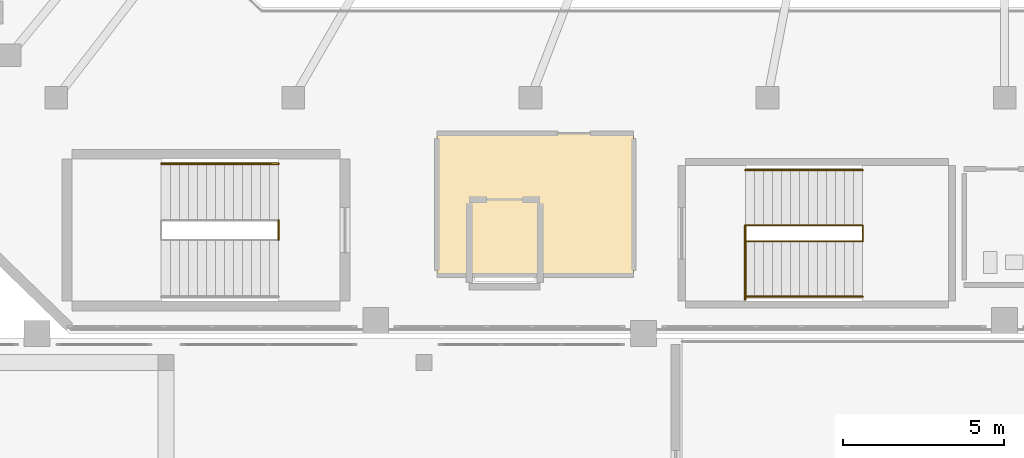
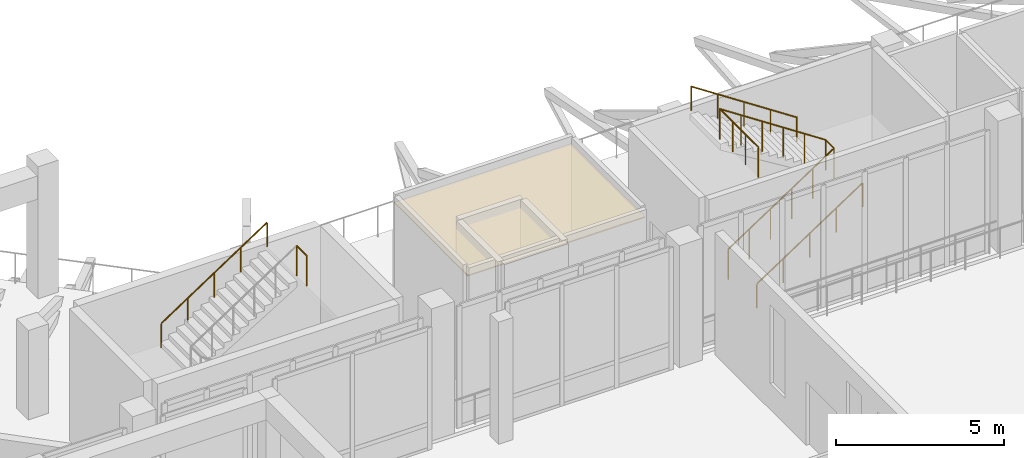
# One storey, part 71 of 79: 6 railings, 1 covering.
"""IFC4 building model written with IfcOpenShell, lengths in metres."""

from ifc_helpers import new_model, si_unit, derived_unit, direction, frame, origin, origin_2d, place, context, subcontext, project, spatial, polyline, circle, outline, extrude, material, layer, layer_set, type_object, element, save


model = new_model("IFC4")

# Units and contexts
model_context = context("Model", 3, precision=1e-05, world=origin(), true_north=direction((0.0, 1.0)))
body_context = subcontext(model_context, "Body", "Model", "MODEL_VIEW")
ifc_project = project(units=[si_unit("LENGTHUNIT", "METRE"), si_unit("AREAUNIT", "SQUARE_METRE"), si_unit("VOLUMEUNIT", "CUBIC_METRE"), si_unit("PLANEANGLEUNIT", "RADIAN"), si_unit("MASSUNIT", "GRAM", prefix="KILO"), derived_unit("THERMALTRANSMITTANCEUNIT", [(si_unit("MASSUNIT", "GRAM", prefix="KILO"), 1), (si_unit("TIMEUNIT", "SECOND"), -3), (si_unit("THERMODYNAMICTEMPERATUREUNIT", "KELVIN"), -1)])], contexts=[model_context])

# Site, building, storey
site_placement = place(None, origin())
site = spatial("IfcSite", under=ifc_project, at=site_placement, CompositionType="ELEMENT")
building_placement = place(site_placement, origin())
building = spatial("IfcBuilding", under=site, at=building_placement, Name="Valcora Ridge Arena", CompositionType="ELEMENT")
storey_placement = place(building_placement, frame((0.0, 0.0, 16.199951171875)))
storey = spatial("IfcBuildingStorey", under=building, at=storey_placement, Name="L03", CompositionType="ELEMENT", Elevation=16.199951171875)

# Covering
ifc_material_1 = material(Name="Perforated mineral-wool acoustic ceiling baffle tile")
ifc_layer = layer(ifc_material_1, 0.0400390625, Name="Perforated mineral-wool acoustic ceiling baffle tile")
ifc_layer_set = layer_set([ifc_layer], Name="Perforated mineral-wool acoustic ceiling baffle tile")
covering_type = type_object("IfcCoveringType", Name="TY-COVERING-CLG-ACOUSTIC-600", PredefinedType="CEILING", material=ifc_layer_set)
covering_placement = place(storey_placement, frame((0.0, 0.0, 4.090087890625)))
element("IfcCovering", 1, at=covering_placement, inside=storey, type_object=covering_type, Name="CLG-ACOUSTIC-600 COV-CL-0001", PredefinedType="CEILING", context=body_context, shape_type="SweptSolid", body=[
    extrude(outline(polyline([(40.39990234375, 21.800048828125), (46.5, 21.800048828125), (46.5, 26.199951171875), (40.39990234375, 26.199951171875), (40.39990234375, 21.800048828125)])), origin(), (0.0, 0.0, 1.0), 0.0400390625),
])

# Railings
ifc_material_2 = material(Name="Galvanized painted steel ASTM A500 Grade B", Category="steel")
railing_type_1 = type_object("IfcRailingType", Name="TY-RAILING-GRD-STAIR-1120", PredefinedType="GUARDRAIL", material=ifc_material_2)
railing_1_placement = place(storey_placement, frame((35.489990234375, 22.89990234375, 4.800048828125)))
element("IfcRailing", 2, at=railing_1_placement, inside=storey, type_object=railing_type_1, Name="GRD-STAIR-1120 RAL-SG-0010", PredefinedType="GUARDRAIL", context=body_context, shape_type="SweptSolid", body=[
    extrude(circle(Radius=0.02392578125, at=origin_2d()), frame((0.0, 0.0, 1.09619140625), z_axis=(0.0, 1.0, 0.0), x_axis=(-1.0, 0.0, 0.0)), (0.0, 0.0, 1.0), 0.60009765625),
    extrude(circle(Radius=0.02099609375, at=origin_2d()), origin(), (0.0, 0.0, 1.0), 1.072021484375),
    extrude(circle(Radius=0.02099609375, at=origin_2d()), frame((0.0, 0.60009765625, 0.0)), (0.0, 0.0, 1.0), 1.072021484375),
])
railing_2_placement = place(storey_placement, frame((49.9599609375, 22.85009765625, 0.0)))
element("IfcRailing", 3, at=railing_2_placement, inside=storey, type_object=railing_type_1, Name="GRD-STAIR-1120 RAL-SG-0103", PredefinedType="GUARDRAIL", context=body_context, shape_type="SweptSolid", body=[
    extrude(circle(Radius=0.02392578125, at=origin_2d()), frame((0.0, 0.0, 1.09619140625), z_axis=(0.834856447115, 0.0, 0.55046772177), x_axis=(0.0, 1.0, 0.0)), (0.0, 0.0, 1.0), 4.360107421875),
    extrude(circle(Radius=0.02392578125, at=origin_2d()), frame((3.64013671875, 0.0, 3.49609375), z_axis=(0.0, 1.0, 0.0), x_axis=(-1.0, 0.0, 0.0)), (0.0, 0.0, 1.0), 0.5),
    extrude(circle(Radius=0.02392578125, at=origin_2d()), frame((3.64013671875, 0.5, 3.49609375), z_axis=(-0.83488217925, 0.0, 0.55042869363), x_axis=(0.0, -1.0, 0.0)), (0.0, 0.0, 1.0), 4.360107421875),
    extrude(circle(Radius=0.02099609375, at=origin_2d()), origin(), (0.0, 0.0, 1.0), 1.072021484375),
    extrude(circle(Radius=0.02099609375, at=origin_2d()), frame((0.72802734375, 0.0, 0.47998046875)), (0.0, 0.0, 1.0), 1.072021484375),
    extrude(circle(Radius=0.02099609375, at=origin_2d()), frame((1.4560546875, 0.0, 0.9599609375)), (0.0, 0.0, 1.0), 1.072021484375),
    extrude(circle(Radius=0.02099609375, at=origin_2d()), frame((2.18408203125, 0.0, 1.440185546875)), (0.0, 0.0, 1.0), 1.072021484375),
    extrude(circle(Radius=0.02099609375, at=origin_2d()), frame((2.912109375, 0.0, 1.920166015625)), (0.0, 0.0, 1.0), 1.072021484375),
    extrude(circle(Radius=0.02099609375, at=origin_2d()), frame((3.64013671875, 0.0, 2.400146484375)), (0.0, 0.0, 1.0), 1.072021484375),
    extrude(circle(Radius=0.02099609375, at=origin_2d()), frame((3.64013671875, 0.5, 2.400146484375)), (0.0, 0.0, 1.0), 1.072021484375),
    extrude(circle(Radius=0.02099609375, at=origin_2d()), frame((2.912109375, 0.5, 2.880126953125)), (0.0, 0.0, 1.0), 1.072021484375),
    extrude(circle(Radius=0.02099609375, at=origin_2d()), frame((2.18408203125, 0.5, 3.360107421875)), (0.0, 0.0, 1.0), 1.072021484375),
    extrude(circle(Radius=0.02099609375, at=origin_2d()), frame((1.4560546875, 0.5, 3.840087890625)), (0.0, 0.0, 1.0), 1.072021484375),
    extrude(circle(Radius=0.02099609375, at=origin_2d()), frame((0.72802734375, 0.5, 4.320068359375)), (0.0, 0.0, 1.0), 1.072021484375),
    extrude(circle(Radius=0.02099609375, at=origin_2d()), frame((0.0, 0.5, 4.800048828125)), (0.0, 0.0, 1.0), 1.072021484375),
])
railing_3_placement = place(storey_placement, frame((49.9599609375, 21.050048828125, 4.800048828125)))
element("IfcRailing", 4, at=railing_3_placement, inside=storey, type_object=railing_type_1, Name="GRD-STAIR-1120 RAL-SG-0104", PredefinedType="GUARDRAIL", context=body_context, shape_type="SweptSolid", body=[
    extrude(circle(Radius=0.02392578125, at=origin_2d()), frame((0.0, 0.0, 1.09619140625), z_axis=(0.0, 1.0, 0.0), x_axis=(-1.0, 0.0, 0.0)), (0.0, 0.0, 1.0), 2.300048828125),
    extrude(circle(Radius=0.02099609375, at=origin_2d()), origin(), (0.0, 0.0, 1.0), 1.072021484375),
    extrude(circle(Radius=0.02099609375, at=origin_2d()), frame((0.0, 0.7666015625, 0.0)), (0.0, 0.0, 1.0), 1.072021484375),
    extrude(circle(Radius=0.02099609375, at=origin_2d()), frame((0.0, 1.533447265625, 0.0)), (0.0, 0.0, 1.0), 1.072021484375),
    extrude(circle(Radius=0.02099609375, at=origin_2d()), frame((0.0, 2.300048828125, 0.0)), (0.0, 0.0, 1.0), 1.072021484375),
])
railing_type_2 = type_object("IfcRailingType", Name="TY-RAILING-HR-STAIR-900", PredefinedType="HANDRAIL", material=ifc_material_2)
railing_4_placement = place(storey_placement, frame((31.85009765625, 25.260009765625, 2.400146484375)))
element("IfcRailing", 5, at=railing_4_placement, inside=storey, type_object=railing_type_2, Name="HR-STAIR-900 RAL-SH-0010", PredefinedType="HANDRAIL", context=body_context, shape_type="SweptSolid", body=[
    extrude(circle(Radius=0.02392578125, at=origin_2d()), frame((0.0, 0.0, 0.8759765625), z_axis=(0.834865213223, 0.0, 0.550454426587), x_axis=(0.0, 1.0, 0.0)), (0.0, 0.0, 1.0), 4.35986328125),
    extrude(circle(Radius=0.02099609375, at=origin_2d()), origin(), (0.0, 0.0, 1.0), 0.851806640625),
    extrude(circle(Radius=0.02099609375, at=origin_2d()), frame((0.909912109375, 0.0, 0.60009765625)), (0.0, 0.0, 1.0), 0.851806640625),
    extrude(circle(Radius=0.02099609375, at=origin_2d()), frame((1.81982421875, 0.0, 1.199951171875)), (0.0, 0.0, 1.0), 0.851806640625),
    extrude(circle(Radius=0.02099609375, at=origin_2d()), frame((2.72998046875, 0.0, 1.7998046875)), (0.0, 0.0, 1.0), 0.851806640625),
    extrude(circle(Radius=0.02099609375, at=origin_2d()), frame((3.639892578125, 0.0, 2.39990234375)), (0.0, 0.0, 1.0), 0.851806640625),
])
railing_5_placement = place(storey_placement, frame((49.9599609375, 21.139892578125, 0.0)))
element("IfcRailing", 6, at=railing_5_placement, inside=storey, type_object=railing_type_2, Name="HR-STAIR-900 RAL-SH-0103", PredefinedType="HANDRAIL", context=body_context, shape_type="SweptSolid", body=[
    extrude(circle(Radius=0.02392578125, at=origin_2d()), frame((0.0, 0.0, 0.8759765625), z_axis=(0.834856447115, 0.0, 0.55046772177), x_axis=(0.0, 1.0, 0.0)), (0.0, 0.0, 1.0), 4.360107421875),
    extrude(circle(Radius=0.02099609375, at=origin_2d()), origin(), (0.0, 0.0, 1.0), 0.851806640625),
    extrude(circle(Radius=0.02099609375, at=origin_2d()), frame((0.91015625, 0.0, 0.60009765625)), (0.0, 0.0, 1.0), 0.851806640625),
    extrude(circle(Radius=0.02099609375, at=origin_2d()), frame((1.820068359375, 0.0, 1.2001953125)), (0.0, 0.0, 1.0), 0.851806640625),
    extrude(circle(Radius=0.02099609375, at=origin_2d()), frame((2.72998046875, 0.0, 1.800048828125)), (0.0, 0.0, 1.0), 0.851806640625),
    extrude(circle(Radius=0.02099609375, at=origin_2d()), frame((3.64013671875, 0.0, 2.400146484375)), (0.0, 0.0, 1.0), 0.851806640625),
])
railing_6_placement = place(storey_placement, frame((53.60009765625, 25.06005859375, 2.400146484375)))
element("IfcRailing", 7, at=railing_6_placement, inside=storey, type_object=railing_type_2, Name="HR-STAIR-900 RAL-SH-0104", PredefinedType="HANDRAIL", context=body_context, shape_type="SweptSolid", body=[
    extrude(circle(Radius=0.02392578125, at=origin_2d()), frame((0.0, 0.0, 0.8759765625), z_axis=(-0.83488217925, 0.0, 0.55042869363), x_axis=(0.0, -1.0, 0.0)), (0.0, 0.0, 1.0), 4.360107421875),
    extrude(circle(Radius=0.02099609375, at=origin_2d()), origin(), (0.0, 0.0, 1.0), 0.851806640625),
    extrude(circle(Radius=0.02099609375, at=origin_2d()), frame((-0.91015625, 0.0, 0.60009765625)), (0.0, 0.0, 1.0), 0.851806640625),
    extrude(circle(Radius=0.02099609375, at=origin_2d()), frame((-1.820068359375, 0.0, 1.199951171875)), (0.0, 0.0, 1.0), 0.851806640625),
    extrude(circle(Radius=0.02099609375, at=origin_2d()), frame((-2.72998046875, 0.0, 1.7998046875)), (0.0, 0.0, 1.0), 0.851806640625),
    extrude(circle(Radius=0.02099609375, at=origin_2d()), frame((-3.64013671875, 0.0, 2.39990234375)), (0.0, 0.0, 1.0), 0.851806640625),
])

save(model, "model.ifc")
